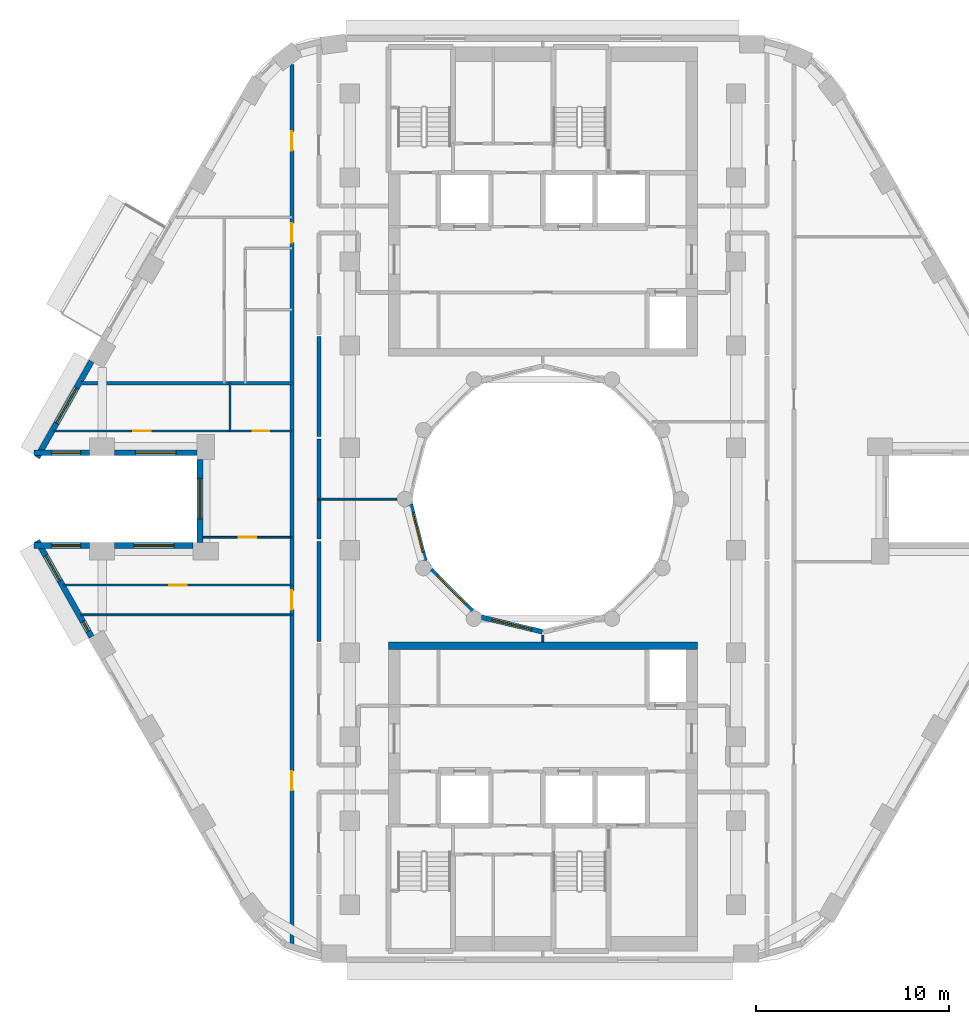
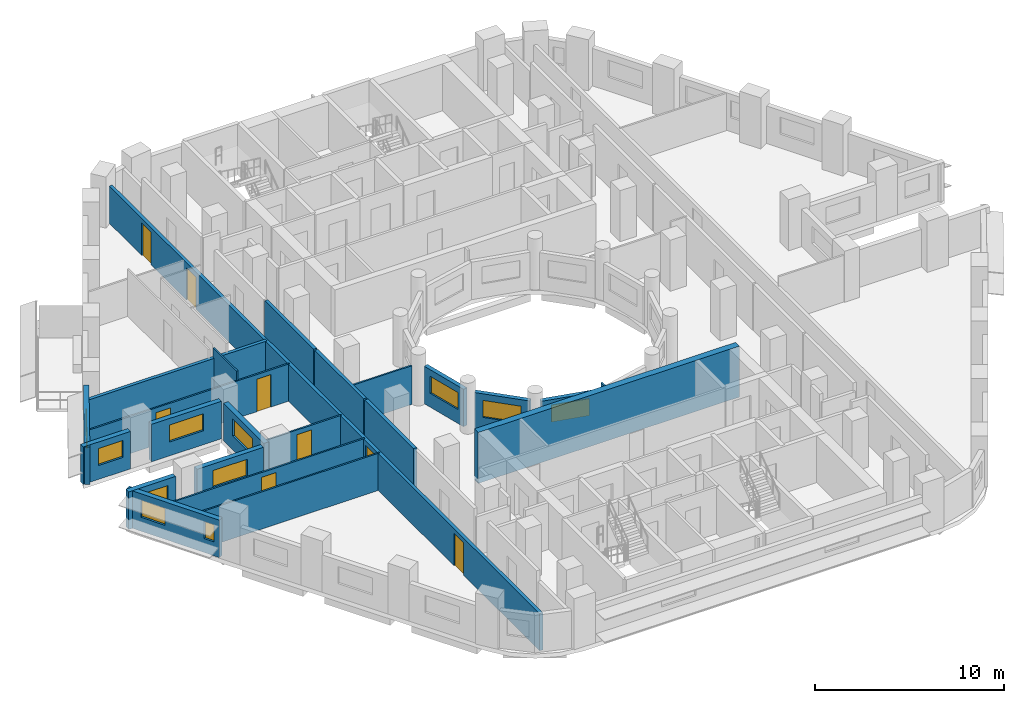
# One storey, part 4 of 13: 23 walls, 11 windows, 8 doors, 19 openings.
"""IFC4 building model written with IfcOpenShell, lengths in metres."""

import ifcopenshell
import ifcopenshell.guid

model = None  # the IFC model being written
_history = None  # IfcOwnerHistory: only IFC2X3 demands one
_inside = {}  # id of a spatial element -> (the spatial element, [elements in it])
_under = {}  # id of a project, library or spatial element -> (it, [spatial elements below it])
_declared = {}  # id of a project -> (the project, [libraries it declares])
_typed = {}  # id of a type object -> (the type object, [elements of that type])
_made_of = {}  # id of a material, layer set ... -> (it, [elements and type objects made of it])


def new_model(schema):
    """Start an empty IFC model of exactly this schema.

    Asked for "IFC4X3", IfcOpenShell would pick the latest addendum, in which some entities
    have other attributes; the version numbers below select the first issue.
    IFC2X3 requires an IfcOwnerHistory on every rooted entity: one is made here for all.
    """
    global model, _history
    if schema == "IFC4X3":
        model = ifcopenshell.file(schema_version=(4, 3, 0, 0))
    else:
        model = ifcopenshell.file(schema=schema)
    _inside.clear()
    _under.clear()
    _declared.clear()
    _typed.clear()
    _made_of.clear()
    _history = None
    if model.schema == "IFC2X3":
        org = make("IfcOrganization", Name="unknown")
        user = make(
            "IfcPersonAndOrganization",
            ThePerson=make("IfcPerson", FamilyName="unknown"),
            TheOrganization=org,
        )
        app = make(
            "IfcApplication",
            ApplicationDeveloper=org,
            Version="unknown",
            ApplicationFullName="unknown",
            ApplicationIdentifier="unknown",
        )
        _history = make(
            "IfcOwnerHistory",
            OwningUser=user,
            OwningApplication=app,
            ChangeAction="ADDED",
            CreationDate=0,
        )
    return model


def make(cls, **values):
    """One entity of the class cls with the attributes given. An attribute that is None is left unset."""
    return model.create_entity(
        cls, **{name: value for name, value in values.items() if value is not None}
    )


def rooted(cls, **values):
    """An entity with a GlobalId (a new one), such as an element, a storey or a relation."""
    return make(cls, GlobalId=ifcopenshell.guid.new(), OwnerHistory=_history, **values)


def si_unit(unit_type, name, prefix=None):
    """IfcSIUnit, for example si_unit("LENGTHUNIT", "METRE", prefix="MILLI")."""
    return make("IfcSIUnit", UnitType=unit_type, Prefix=prefix, Name=name)


def assignment(units):
    """IfcUnitAssignment: the units of a project."""
    return None if units is None else make("IfcUnitAssignment", Units=units)


def point(xyz):
    """IfcCartesianPoint."""
    return None if xyz is None else make("IfcCartesianPoint", Coordinates=xyz)


def direction(xyz):
    """IfcDirection."""
    return None if xyz is None else make("IfcDirection", DirectionRatios=xyz)


def frame(location, z_axis=None, x_axis=None):
    """IfcAxis2Placement3D, a coordinate frame: its origin and axes. An axis left out is left unset."""
    return make(
        "IfcAxis2Placement3D",
        Location=point(location),
        Axis=direction(z_axis),
        RefDirection=direction(x_axis),
    )


def frame_2d(location, x_axis=None):
    """IfcAxis2Placement2D, a coordinate frame in the plane: its origin and x axis."""
    return make(
        "IfcAxis2Placement2D", Location=point(location), RefDirection=direction(x_axis)
    )


def origin():
    """The frame at (0, 0, 0) with its axes left unset."""
    return frame((0.0, 0.0, 0.0))


def place(relative_to, where):
    """IfcLocalPlacement: puts the frame where relative to a parent placement (None: the world)."""
    return make(
        "IfcLocalPlacement", PlacementRelTo=relative_to, RelativePlacement=where
    )


def context(
    kind, dimensions, precision=None, world=None, true_north=None, identifier=None
):
    """IfcGeometricRepresentationContext, for example the 3D "Model" context."""
    return make(
        "IfcGeometricRepresentationContext",
        ContextIdentifier=identifier,
        ContextType=kind,
        CoordinateSpaceDimension=dimensions,
        Precision=precision,
        WorldCoordinateSystem=world,
        TrueNorth=true_north,
    )


def subcontext(parent, identifier, kind, view, scale=None):
    """IfcGeometricRepresentationSubContext, for example "Body" below "Model"."""
    return make(
        "IfcGeometricRepresentationSubContext",
        ContextIdentifier=identifier,
        ContextType=kind,
        ParentContext=parent,
        TargetScale=scale,
        TargetView=view,
    )


def project(units=None, contexts=None):
    """IfcProject with its units and contexts."""
    return rooted(
        "IfcProject",
        Name="project",
        RepresentationContexts=contexts,
        UnitsInContext=assignment(units),
    )


def spatial(cls, under=None, at=None, **own):
    """A site, building, storey or space (cls), placed at a placement, below another one or the project."""
    s = rooted(cls, ObjectPlacement=at, **own)
    if under is not None:
        _under.setdefault(under.id(), (under, []))[1].append(s)
    return s


def profile(cls, at=None, kind="AREA", **sizes):
    """A parametric profile (cls). Its sizes go by their IFC names, for example OverallWidth=200.0."""
    return make(cls, ProfileType=kind, Position=at, **sizes)


def rectangle(**sizes):
    """IfcRectangleProfileDef."""
    return profile("IfcRectangleProfileDef", **sizes)


def extrude(swept, where, along, depth):
    """IfcExtrudedAreaSolid: the profile swept, set in the frame where, extruded along a direction by depth."""
    return make(
        "IfcExtrudedAreaSolid",
        SweptArea=swept,
        Position=where,
        ExtrudedDirection=direction(along),
        Depth=depth,
    )


def shape(context_of_items, identifier, shape_type, items):
    """IfcShapeRepresentation: the items that make up one representation, for example the "Body"."""
    return make(
        "IfcShapeRepresentation",
        ContextOfItems=context_of_items,
        RepresentationIdentifier=identifier,
        RepresentationType=shape_type,
        Items=items,
    )


def material(Name=None, Category=None):
    """IfcMaterial."""
    return make("IfcMaterial", Name=Name, Category=Category)


def layer(
    of_material, thickness, ventilated=None, Name=None, Category=None, Priority=None
):
    """IfcMaterialLayer: one layer of a wall or slab, of a material (None: an air gap)."""
    return make(
        "IfcMaterialLayer",
        Material=of_material,
        LayerThickness=thickness,
        IsVentilated=ventilated,
        Name=Name,
        Category=Category,
        Priority=Priority,
    )


def layer_set(layers, Name=None):
    """IfcMaterialLayerSet."""
    return make("IfcMaterialLayerSet", MaterialLayers=layers, LayerSetName=Name)


def made_of(thing, what):
    """Note that an element or type object is made of a material, layer set ...; save() writes the relation."""
    if what is not None:
        _made_of.setdefault(what.id(), (what, []))[1].append(thing)
    return thing


def type_object(cls, material=None, **own):
    """A type object (cls), such as IfcWallType, which elements share."""
    return made_of(rooted(cls, **own), material)


def element(
    cls,
    number,
    at=None,
    inside=None,
    cuts=None,
    type_object=None,
    material=None,
    context=None,
    identifier="Body",
    shape_type=None,
    held_by="IfcProductDefinitionShape",
    body=None,
    shapes=None,
    **own,
):
    """One element of the class cls, such as IfcWall. Its Tag is "e" and its number.

    at: its placement. inside: the storey or other place that contains it. cuts: it is an
    opening in that element (IfcRelVoidsElement). A single representation is given by context,
    identifier, shape_type and body (its items); several are given by shapes. held_by: the class
    of the entity that holds the representations. save() writes the other relations.
    """
    e = rooted(cls, Tag="e%d" % number, ObjectPlacement=at, **own)
    if body is not None:
        shapes = [shape(context, identifier, shape_type, body)]
    if shapes is not None:
        e.Representation = make(held_by, Representations=shapes)
    if inside is not None:
        _inside.setdefault(inside.id(), (inside, []))[1].append(e)
    if cuts is not None:
        rooted(
            "IfcRelVoidsElement", RelatingBuildingElement=cuts, RelatedOpeningElement=e
        )
    if type_object is not None:
        _typed.setdefault(type_object.id(), (type_object, []))[1].append(e)
    return made_of(e, material)


def fill(opening, filler):
    """IfcRelFillsElement: the door or window that sits in an opening."""
    return rooted(
        "IfcRelFillsElement",
        RelatingOpeningElement=opening,
        RelatedBuildingElement=filler,
    )


def aggregate(whole, parts):
    """IfcRelAggregates: a whole, such as a stair, and the parts it consists of."""
    return rooted("IfcRelAggregates", RelatingObject=whole, RelatedObjects=parts)


def save(model, path):
    """Write the relations noted so far, then the file.

    IfcRelAggregates (storeys below a building ...), IfcRelContainedInSpatialStructure (elements
    in a storey), IfcRelDefinesByType, IfcRelAssociatesMaterial and IfcRelDeclares: one each for
    every whole, place, type object, material and project.
    """
    for whole, parts in _under.values():
        aggregate(whole, parts)
    for where, things in _inside.values():
        rooted(
            "IfcRelContainedInSpatialStructure",
            RelatedElements=things,
            RelatingStructure=where,
        )
    for kind, things in _typed.values():
        rooted("IfcRelDefinesByType", RelatedObjects=things, RelatingType=kind)
    for what, things in _made_of.values():
        rooted("IfcRelAssociatesMaterial", RelatedObjects=things, RelatingMaterial=what)
    for by, libraries in _declared.values():
        rooted("IfcRelDeclares", RelatingContext=by, RelatedDefinitions=libraries)
    model.write(path)


model = new_model("IFC4")

# Units and contexts
model_context = context("Model", 3, precision=1e-05, world=origin(), true_north=direction((0.0, 1.0)))
body_context = subcontext(model_context, "Body", "Model", "MODEL_VIEW")
ifc_project = project(units=[si_unit("LENGTHUNIT", "METRE"), si_unit("AREAUNIT", "SQUARE_METRE"), si_unit("VOLUMEUNIT", "CUBIC_METRE"), si_unit("PLANEANGLEUNIT", "RADIAN"), si_unit("MASSUNIT", "GRAM", prefix="KILO")], contexts=[model_context])

# Site, building, storey
site_placement = place(None, origin())
site = spatial("IfcSite", under=ifc_project, at=site_placement, CompositionType="ELEMENT")
building_placement = place(site_placement, origin())
building = spatial("IfcBuilding", under=site, at=building_placement, Name="Nakaniwa Court", CompositionType="ELEMENT")
storey_placement = place(building_placement, frame((0.0, 0.0, 137.10009765625)))
storey = spatial("IfcBuildingStorey", under=building, at=storey_placement, Name="L35", CompositionType="ELEMENT", Elevation=137.10009765625)

# Walls
ifc_material_1 = material(Name="Acoustic double stud partition")
ifc_layer_1 = layer(ifc_material_1, 0.199951171875)
ifc_layer_set_1 = layer_set([ifc_layer_1], Name="Acoustic double stud partition")
wall_type_1 = type_object("IfcWallType", Name="Acoustic double stud partition 200", PredefinedType="PARTITIONING", material=ifc_layer_set_1)
for number, where, z_axis, x_axis, name in (
    (1, (68.39990234375, 72.627197265625, 0.0), (0.0, 0.0, 1.0), (0.0, 1.0, 0.0), "Partition PW-097"),
    (2, (68.39990234375, 77.92724609375, 0.0), (0.0, 0.0, 1.0), (0.0, 1.0, 0.0), "Partition PW-098"),
    (3, (68.39990234375, 83.227294921875, 0.0), (0.0, 0.0, 1.0), (0.0, 1.0, 0.0), "Partition PW-099"),
):
    element("IfcWall", number, at=place(storey_placement, frame(where, z_axis=z_axis, x_axis=x_axis)), inside=storey, type_object=wall_type_1, Name=name, PredefinedType="PARTITIONING", context=body_context, shape_type="SweptSolid", body=[
        extrude(rectangle(XDim=5.185546875, YDim=0.199951171875, at=frame_2d((2.5927734375, 0.0))), origin(), (0.0, 0.0, 1.0), 3.02490234375),
    ])

# Wall, openings, doors
wall_1_placement = place(storey_placement, frame((67.0, 56.833251953125, 0.0), z_axis=(0.0, 0.0, 1.0), x_axis=(0.0, 1.0, 0.0)))
wall_1 = element("IfcWall", 4, at=wall_1_placement, inside=storey, type_object=wall_type_1, Name="Partition PW-103", PredefinedType="PARTITIONING", context=body_context, shape_type="SweptSolid", body=[
    extrude(rectangle(XDim=45.660888671875, YDim=0.199951171875, at=frame_2d((22.83056640625, 0.0))), origin(), (0.0, 0.0, 1.0), 2.40478515625),
])
opening_1_placement = place(wall_1_placement, frame((8.083984375, 0.0, 0.0)))
opening_1 = element("IfcOpeningElement", 5, at=opening_1_placement, cuts=wall_1, Name="Opening D-02-07", PredefinedType="OPENING", context=body_context, shape_type="SweptSolid", body=[
    extrude(rectangle(XDim=1.0, YDim=2.10009765625, at=frame_2d((0.5, 1.050048828125))), frame((0.0, 0.10986328125, 0.0), z_axis=(0.0, -1.0, 0.0), x_axis=(1.0, 0.0, 0.0)), (0.0, 0.0, 1.0), 0.219970703125),
])
opening_2_placement = place(wall_1_placement, frame((17.44189453125, 0.0, 0.0)))
opening_2 = element("IfcOpeningElement", 6, at=opening_2_placement, cuts=wall_1, Name="Opening D-01-01", PredefinedType="OPENING", context=body_context, shape_type="SweptSolid", body=[
    extrude(rectangle(XDim=1.0, YDim=2.10009765625, at=frame_2d((0.5, 1.050048828125))), frame((0.0, 0.10986328125, 0.0), z_axis=(0.0, -1.0, 0.0), x_axis=(1.0, 0.0, 0.0)), (0.0, 0.0, 1.0), 0.219970703125),
])
opening_3_placement = place(wall_1_placement, frame((36.449951171875, 0.0, 0.0)))
opening_3 = element("IfcOpeningElement", 7, at=opening_3_placement, cuts=wall_1, Name="Opening D-01-02", PredefinedType="OPENING", context=body_context, shape_type="SweptSolid", body=[
    extrude(rectangle(XDim=1.0, YDim=2.10009765625, at=frame_2d((0.5, 1.050048828125))), frame((0.0, 0.10986328125, 0.0), z_axis=(0.0, -1.0, 0.0), x_axis=(1.0, 0.0, 0.0)), (0.0, 0.0, 1.0), 0.219970703125),
])
opening_4_placement = place(wall_1_placement, frame((41.202880859375, 0.0, 0.0)))
opening_4 = element("IfcOpeningElement", 8, at=opening_4_placement, cuts=wall_1, Name="Opening D-02-13", PredefinedType="OPENING", context=body_context, shape_type="SweptSolid", body=[
    extrude(rectangle(XDim=1.0, YDim=2.10009765625, at=frame_2d((0.5, 1.050048828125))), frame((0.0, 0.10986328125, 0.0), z_axis=(0.0, -1.0, 0.0), x_axis=(1.0, 0.0, 0.0)), (0.0, 0.0, 1.0), 0.219970703125),
])
ifc_material_2 = material(Name="Solid core timber door set, black veneer", Category="wood")
door_type_1 = type_object("IfcDoorType", Name="Flat entrance door 1000", OperationType="NOTDEFINED", PredefinedType="DOOR", material=ifc_material_2)
door_1_placement = place(opening_2_placement, origin())
door_1 = element("IfcDoor", 9, at=door_1_placement, inside=storey, type_object=door_type_1, Name="Door D-01-01 L35-029", OperationType="SINGLE_SWING_RIGHT", OverallHeight=2.10009765625, OverallWidth=1.0, PredefinedType="DOOR", context=body_context, shape_type="SweptSolid", body=[
    extrude(rectangle(XDim=1.0, YDim=2.10009765625, at=frame_2d((0.5, 1.050048828125))), frame((0.0, 0.02490234375, 0.0), z_axis=(0.0, -1.0, 0.0), x_axis=(1.0, 0.0, 0.0)), (0.0, 0.0, 1.0), 0.050048828125),
])
fill(opening_2, door_1)
door_2_placement = place(opening_3_placement, origin())
door_2 = element("IfcDoor", 10, at=door_2_placement, inside=storey, type_object=door_type_1, Name="Door D-01-02 L35-035", OperationType="SINGLE_SWING_RIGHT", OverallHeight=2.10009765625, OverallWidth=1.0, PredefinedType="DOOR", context=body_context, shape_type="SweptSolid", body=[
    extrude(rectangle(XDim=1.0, YDim=2.10009765625, at=frame_2d((0.5, 1.050048828125))), frame((0.0, 0.02490234375, 0.0), z_axis=(0.0, -1.0, 0.0), x_axis=(1.0, 0.0, 0.0)), (0.0, 0.0, 1.0), 0.050048828125),
])
fill(opening_3, door_2)
door_type_2 = type_object("IfcDoorType", Name="Internal door 1000", OperationType="NOTDEFINED", PredefinedType="DOOR", material=ifc_material_2)
door_3_placement = place(opening_1_placement, origin())
door_3 = element("IfcDoor", 11, at=door_3_placement, inside=storey, type_object=door_type_2, Name="Door D-02-07 L35-027", OperationType="SINGLE_SWING_RIGHT", OverallHeight=2.10009765625, OverallWidth=1.0, PredefinedType="DOOR", context=body_context, shape_type="SweptSolid", body=[
    extrude(rectangle(XDim=1.0, YDim=2.10009765625, at=frame_2d((0.5, 1.050048828125))), frame((0.0, 0.02490234375, 0.0), z_axis=(0.0, -1.0, 0.0), x_axis=(1.0, 0.0, 0.0)), (0.0, 0.0, 1.0), 0.050048828125),
])
fill(opening_1, door_3)
door_4_placement = place(opening_4_placement, origin())
door_4 = element("IfcDoor", 12, at=door_4_placement, inside=storey, type_object=door_type_2, Name="Door D-02-13 L35-042", OperationType="SINGLE_SWING_LEFT", OverallHeight=2.10009765625, OverallWidth=1.0, PredefinedType="DOOR", context=body_context, shape_type="SweptSolid", body=[
    extrude(rectangle(XDim=1.0, YDim=2.10009765625, at=frame_2d((0.5, 1.050048828125))), frame((0.0, 0.02490234375, 0.0), z_axis=(0.0, -1.0, 0.0), x_axis=(1.0, 0.0, 0.0)), (0.0, 0.0, 1.0), 0.050048828125),
])
fill(opening_4, door_4)

# Wall
wall_2_placement = place(storey_placement, frame((56.097900390625, 86.0, 0.0), z_axis=(0.0, 0.0, 1.0), x_axis=(1.0, 0.0, 0.0)))
element("IfcWall", 13, at=wall_2_placement, inside=storey, type_object=wall_type_1, Name="Partition PW-122", PredefinedType="PARTITIONING", context=body_context, shape_type="SweptSolid", body=[
    extrude(rectangle(XDim=10.901123046875, YDim=0.199951171875, at=frame_2d((5.45068359375, 0.0))), origin(), (0.0, 0.0, 1.0), 2.40478515625),
])

# Wall, opening, window
ifc_material_3 = material(Name="Charcoal ceramic cladding")
ifc_layer_2 = layer(ifc_material_3, 0.02, Name="Ceramic cladding")
ifc_material_4 = material(Name="Ventilated air cavity")
ifc_layer_3 = layer(ifc_material_4, 0.04, ventilated=True, Name="Ventilated cavity")
ifc_material_5 = material(Name="Mineral wool insulation")
ifc_layer_4 = layer(ifc_material_5, 0.1, Name="Insulation")
ifc_material_6 = material(Name="Cement bonded sheathing board")
ifc_layer_5 = layer(ifc_material_6, 0.012, Name="Sheathing")
ifc_material_7 = material(Name="Cold-formed galvanised stud frame with mineral wool infill")
ifc_layer_6 = layer(ifc_material_7, 0.1, Name="Stud frame")
ifc_material_8 = material(Name="Fire-rated gypsum plasterboard lining")
ifc_layer_7 = layer(ifc_material_8, 0.028, Name="Lining")
ifc_layer_set_2 = layer_set([ifc_layer_2, ifc_layer_3, ifc_layer_4, ifc_layer_5, ifc_layer_6, ifc_layer_7], Name="Charcoal ceramic faced external wall system")
wall_type_2 = type_object("IfcWallType", Name="Black ceramic faced external wall 300", PredefinedType="SOLIDWALL", material=ifc_layer_set_2)
wall_3_placement = place(storey_placement, frame((56.63427734375, 87.13720703125, 0.0), z_axis=(0.0, 0.0, 1.0), x_axis=(-0.492498306264, -0.87031340236, 0.0)))
wall_3 = element("IfcWall", 14, at=wall_3_placement, inside=storey, type_object=wall_type_2, Name="L35 external wall 14", PredefinedType="SOLIDWALL", context=body_context, shape_type="SweptSolid", body=[
    extrude(rectangle(XDim=5.7265625, YDim=0.300048828125, at=frame_2d((2.86328125, 0.0))), origin(), (0.0, 0.0, 1.0), 2.4248046875),
])
opening_5_placement = place(wall_3_placement, frame((1.582275390625, 0.0, 0.89990234375)))
opening_5 = element("IfcOpeningElement", 15, at=opening_5_placement, cuts=wall_3, Name="Opening W7.15", PredefinedType="OPENING", context=body_context, shape_type="SweptSolid", body=[
    extrude(rectangle(XDim=2.10009765625, YDim=1.10009765625, at=frame_2d((1.050048828125, 0.550048828125))), frame((0.0, 0.159912109375, 0.0), z_axis=(0.0, -1.0, 0.0), x_axis=(1.0, 0.0, 0.0)), (0.0, 0.0, 1.0), 0.320068359375),
])
ifc_material_9 = material(Name="Black anodised aluminium frame with dark low-E laminated double glazing", Category="aluminium")
window_type_1 = type_object("IfcWindowType", Name="Dark glass window 2100x1100 sill 900", PartitioningType="SINGLE_PANEL", PredefinedType="WINDOW", material=ifc_material_9)
window_1_placement = place(opening_5_placement, origin())
window_1 = element("IfcWindow", 16, at=window_1_placement, inside=storey, type_object=window_type_1, Name="L35 habitable room window 14-1", OverallHeight=1.10009765625, OverallWidth=2.10009765625, PartitioningType="SINGLE_PANEL", PredefinedType="WINDOW", context=body_context, shape_type="SweptSolid", body=[
    extrude(rectangle(XDim=2.10009765625, YDim=1.10009765625, at=frame_2d((1.050048828125, 0.550048828125))), frame((0.0, 0.030029296875, 0.0), z_axis=(0.0, -1.0, 0.0), x_axis=(1.0, 0.0, 0.0)), (0.0, 0.0, 1.0), 0.06005859375),
])
fill(opening_5, window_1)

wall_4_placement = place(storey_placement, frame((53.643310546875, 82.39990234375, 0.0), z_axis=(0.0, 0.0, 1.0), x_axis=(1.0, 0.0, 0.0)))
wall_4 = element("IfcWall", 17, at=wall_4_placement, inside=storey, type_object=wall_type_2, Name="L35 external wall 15", PredefinedType="SOLIDWALL", context=body_context, shape_type="SweptSolid", body=[
    extrude(rectangle(XDim=2.8876953125, YDim=0.300048828125, at=frame_2d((1.44384765625, 0.0))), origin(), (0.0, 0.0, 1.0), 2.4248046875),
])
opening_6_placement = place(wall_4_placement, frame((0.9189453125, 0.0, 0.89990234375)))
opening_6 = element("IfcOpeningElement", 18, at=opening_6_placement, cuts=wall_4, Name="Opening W5.16", PredefinedType="OPENING", context=body_context, shape_type="SweptSolid", body=[
    extrude(rectangle(XDim=1.5, YDim=1.10009765625, at=frame_2d((0.75, 0.550048828125))), frame((0.0, 0.159912109375, 0.0), z_axis=(0.0, -1.0, 0.0), x_axis=(1.0, 0.0, 0.0)), (0.0, 0.0, 1.0), 0.320068359375),
])
window_type_2 = type_object("IfcWindowType", Name="Dark glass window 1500x1100 sill 900", PartitioningType="SINGLE_PANEL", PredefinedType="WINDOW", material=ifc_material_9)
window_2_placement = place(opening_6_placement, origin())
window_2 = element("IfcWindow", 19, at=window_2_placement, inside=storey, type_object=window_type_2, Name="L35 living window 15-0", OverallHeight=1.10009765625, OverallWidth=1.5, PartitioningType="SINGLE_PANEL", PredefinedType="WINDOW", context=body_context, shape_type="SweptSolid", body=[
    extrude(rectangle(XDim=1.5, YDim=1.10009765625, at=frame_2d((0.75, 0.550048828125))), frame((0.0, 0.030029296875, 0.0), z_axis=(0.0, -1.0, 0.0), x_axis=(1.0, 0.0, 0.0)), (0.0, 0.0, 1.0), 0.06005859375),
])
fill(opening_6, window_2)

wall_5_placement = place(storey_placement, frame((57.822998046875, 82.39990234375, 0.0), z_axis=(0.0, 0.0, 1.0), x_axis=(1.0, 0.0, 0.0)))
wall_5 = element("IfcWall", 20, at=wall_5_placement, inside=storey, type_object=wall_type_2, Name="L35 external wall 16", PredefinedType="SOLIDWALL", context=body_context, shape_type="SweptSolid", body=[
    extrude(rectangle(XDim=4.272705078125, YDim=0.300048828125, at=frame_2d((2.13623046875, 0.0))), origin(), (0.0, 0.0, 1.0), 2.4248046875),
])
opening_7_placement = place(wall_5_placement, frame((1.086181640625, 0.0, 0.89990234375)))
opening_7 = element("IfcOpeningElement", 21, at=opening_7_placement, cuts=wall_5, Name="Opening W7.17", PredefinedType="OPENING", context=body_context, shape_type="SweptSolid", body=[
    extrude(rectangle(XDim=2.10009765625, YDim=1.10009765625, at=frame_2d((1.050048828125, 0.550048828125))), frame((0.0, 0.159912109375, 0.0), z_axis=(0.0, -1.0, 0.0), x_axis=(1.0, 0.0, 0.0)), (0.0, 0.0, 1.0), 0.320068359375),
])
window_3_placement = place(opening_7_placement, origin())
window_3 = element("IfcWindow", 22, at=window_3_placement, inside=storey, type_object=window_type_1, Name="L35 living window 16-0", OverallHeight=1.10009765625, OverallWidth=2.10009765625, PartitioningType="SINGLE_PANEL", PredefinedType="WINDOW", context=body_context, shape_type="SweptSolid", body=[
    extrude(rectangle(XDim=2.10009765625, YDim=1.10009765625, at=frame_2d((1.050048828125, 0.550048828125))), frame((0.0, 0.030029296875, 0.0), z_axis=(0.0, -1.0, 0.0), x_axis=(1.0, 0.0, 0.0)), (0.0, 0.0, 1.0), 0.06005859375),
])
fill(opening_7, window_3)

wall_6_placement = place(storey_placement, frame((62.24169921875, 82.053955078125, 0.0), z_axis=(0.0, 0.0, 1.0), x_axis=(0.0, -1.0, 0.0)))
wall_6 = element("IfcWall", 23, at=wall_6_placement, inside=storey, type_object=wall_type_2, Name="L35 external wall 17", PredefinedType="SOLIDWALL", context=body_context, shape_type="SweptSolid", body=[
    extrude(rectangle(XDim=4.307861328125, YDim=0.300048828125, at=frame_2d((2.15380859375, 0.0))), origin(), (0.0, 0.0, 1.0), 2.4248046875),
])
opening_8_placement = place(wall_6_placement, frame((0.9765625, 0.0, 0.89990234375)))
opening_8 = element("IfcOpeningElement", 24, at=opening_8_placement, cuts=wall_6, Name="Opening W7.18", PredefinedType="OPENING", context=body_context, shape_type="SweptSolid", body=[
    extrude(rectangle(XDim=2.10009765625, YDim=1.10009765625, at=frame_2d((1.050048828125, 0.550048828125))), frame((0.0, 0.159912109375, 0.0), z_axis=(0.0, -1.0, 0.0), x_axis=(1.0, 0.0, 0.0)), (0.0, 0.0, 1.0), 0.320068359375),
])
window_4_placement = place(opening_8_placement, origin())
window_4 = element("IfcWindow", 25, at=window_4_placement, inside=storey, type_object=window_type_1, Name="L35 living window 17-0", OverallHeight=1.10009765625, OverallWidth=2.10009765625, PartitioningType="SINGLE_PANEL", PredefinedType="WINDOW", context=body_context, shape_type="SweptSolid", body=[
    extrude(rectangle(XDim=2.10009765625, YDim=1.10009765625, at=frame_2d((1.050048828125, 0.550048828125))), frame((0.0, 0.030029296875, 0.0), z_axis=(0.0, -1.0, 0.0), x_axis=(1.0, 0.0, 0.0)), (0.0, 0.0, 1.0), 0.06005859375),
])
fill(opening_8, window_4)

wall_7_placement = place(storey_placement, frame((61.8955078125, 77.60009765625, 0.0), z_axis=(0.0, 0.0, 1.0), x_axis=(-1.0, 0.0, 0.0)))
wall_7 = element("IfcWall", 26, at=wall_7_placement, inside=storey, type_object=wall_type_2, Name="L35 external wall 18", PredefinedType="SOLIDWALL", context=body_context, shape_type="SweptSolid", body=[
    extrude(rectangle(XDim=4.072509765625, YDim=0.300048828125, at=frame_2d((2.0361328125, 0.0))), origin(), (0.0, 0.0, 1.0), 2.4248046875),
])
opening_9_placement = place(wall_7_placement, frame((0.986083984375, 0.0, 0.89990234375)))
opening_9 = element("IfcOpeningElement", 27, at=opening_9_placement, cuts=wall_7, Name="Opening W7.19", PredefinedType="OPENING", context=body_context, shape_type="SweptSolid", body=[
    extrude(rectangle(XDim=2.10009765625, YDim=1.10009765625, at=frame_2d((1.050048828125, 0.550048828125))), frame((0.0, 0.159912109375, 0.0), z_axis=(0.0, -1.0, 0.0), x_axis=(1.0, 0.0, 0.0)), (0.0, 0.0, 1.0), 0.320068359375),
])
window_5_placement = place(opening_9_placement, origin())
window_5 = element("IfcWindow", 28, at=window_5_placement, inside=storey, type_object=window_type_1, Name="L35 habitable room window 18-0", OverallHeight=1.10009765625, OverallWidth=2.10009765625, PartitioningType="SINGLE_PANEL", PredefinedType="WINDOW", context=body_context, shape_type="SweptSolid", body=[
    extrude(rectangle(XDim=2.10009765625, YDim=1.10009765625, at=frame_2d((1.050048828125, 0.550048828125))), frame((0.0, 0.030029296875, 0.0), z_axis=(0.0, -1.0, 0.0), x_axis=(1.0, 0.0, 0.0)), (0.0, 0.0, 1.0), 0.06005859375),
])
fill(opening_9, window_5)

wall_8_placement = place(storey_placement, frame((56.531005859375, 77.60009765625, 0.0), z_axis=(0.0, 0.0, 1.0), x_axis=(-1.0, 0.0, 0.0)))
wall_8 = element("IfcWall", 29, at=wall_8_placement, inside=storey, type_object=wall_type_2, Name="L35 external wall 19", PredefinedType="SOLIDWALL", context=body_context, shape_type="SweptSolid", body=[
    extrude(rectangle(XDim=2.8876953125, YDim=0.300048828125, at=frame_2d((1.44384765625, 0.0))), origin(), (0.0, 0.0, 1.0), 2.4248046875),
])
opening_10_placement = place(wall_8_placement, frame((0.468994140625, 0.0, 0.89990234375)))
opening_10 = element("IfcOpeningElement", 30, at=opening_10_placement, cuts=wall_8, Name="Opening W5.20", PredefinedType="OPENING", context=body_context, shape_type="SweptSolid", body=[
    extrude(rectangle(XDim=1.5, YDim=1.10009765625, at=frame_2d((0.75, 0.550048828125))), frame((0.0, 0.159912109375, 0.0), z_axis=(0.0, -1.0, 0.0), x_axis=(1.0, 0.0, 0.0)), (0.0, 0.0, 1.0), 0.320068359375),
])
window_6_placement = place(opening_10_placement, origin())
window_6 = element("IfcWindow", 31, at=window_6_placement, inside=storey, type_object=window_type_2, Name="L35 habitable room window 19-0", OverallHeight=1.10009765625, OverallWidth=1.5, PartitioningType="SINGLE_PANEL", PredefinedType="WINDOW", context=body_context, shape_type="SweptSolid", body=[
    extrude(rectangle(XDim=1.5, YDim=1.10009765625, at=frame_2d((0.75, 0.550048828125))), frame((0.0, 0.030029296875, 0.0), z_axis=(0.0, -1.0, 0.0), x_axis=(1.0, 0.0, 0.0)), (0.0, 0.0, 1.0), 0.06005859375),
])
fill(opening_10, window_6)

# Wall, openings, windows
wall_9_placement = place(storey_placement, frame((53.81396484375, 77.8466796875, 0.0), z_axis=(0.0, 0.0, 1.0), x_axis=(0.492498306264, -0.87031340236, 0.0)))
wall_9 = element("IfcWall", 32, at=wall_9_placement, inside=storey, type_object=wall_type_2, Name="L35 external wall 20", PredefinedType="SOLIDWALL", context=body_context, shape_type="SweptSolid", body=[
    extrude(rectangle(XDim=5.7265625, YDim=0.300048828125, at=frame_2d((2.86328125, 0.0))), origin(), (0.0, 0.0, 1.0), 2.4248046875),
])
opening_11_placement = place(wall_9_placement, frame((0.8935546875, 0.0, 0.89990234375)))
opening_11 = element("IfcOpeningElement", 33, at=opening_11_placement, cuts=wall_9, Name="Opening W5.21", PredefinedType="OPENING", context=body_context, shape_type="SweptSolid", body=[
    extrude(rectangle(XDim=1.5, YDim=1.10009765625, at=frame_2d((0.75, 0.550048828125))), frame((0.0, 0.159912109375, 0.0), z_axis=(0.0, -1.0, 0.0), x_axis=(1.0, 0.0, 0.0)), (0.0, 0.0, 1.0), 0.320068359375),
])
opening_12_placement = place(wall_9_placement, frame((4.796142578125, 0.0, 0.89990234375)))
opening_12 = element("IfcOpeningElement", 34, at=opening_12_placement, cuts=wall_9, Name="Opening W8.22", PredefinedType="OPENING", context=body_context, shape_type="SweptSolid", body=[
    extrude(rectangle(XDim=0.60009765625, YDim=1.10009765625, at=frame_2d((0.300048828125, 0.550048828125))), frame((0.0, 0.159912109375, 0.0), z_axis=(0.0, -1.0, 0.0), x_axis=(1.0, 0.0, 0.0)), (0.0, 0.0, 1.0), 0.320068359375),
])
window_7_placement = place(opening_11_placement, origin())
window_7 = element("IfcWindow", 35, at=window_7_placement, inside=storey, type_object=window_type_2, Name="L35 habitable room window 20-0", OverallHeight=1.10009765625, OverallWidth=1.5, PartitioningType="SINGLE_PANEL", PredefinedType="WINDOW", context=body_context, shape_type="SweptSolid", body=[
    extrude(rectangle(XDim=1.5, YDim=1.10009765625, at=frame_2d((0.75, 0.550048828125))), frame((0.0, 0.030029296875, 0.0), z_axis=(0.0, -1.0, 0.0), x_axis=(1.0, 0.0, 0.0)), (0.0, 0.0, 1.0), 0.06005859375),
])
fill(opening_11, window_7)
window_type_3 = type_object("IfcWindowType", Name="Dark glass window 600x1100 sill 900", PartitioningType="SINGLE_PANEL", PredefinedType="WINDOW", material=ifc_material_9)
window_8_placement = place(opening_12_placement, origin())
window_8 = element("IfcWindow", 36, at=window_8_placement, inside=storey, type_object=window_type_3, Name="L35 habitable room window 20-2", OverallHeight=1.10009765625, OverallWidth=0.60009765625, PartitioningType="SINGLE_PANEL", PredefinedType="WINDOW", context=body_context, shape_type="SweptSolid", body=[
    extrude(rectangle(XDim=0.60009765625, YDim=1.10009765625, at=frame_2d((0.300048828125, 0.550048828125))), frame((0.0, 0.030029296875, 0.0), z_axis=(0.0, -1.0, 0.0), x_axis=(1.0, 0.0, 0.0)), (0.0, 0.0, 1.0), 0.06005859375),
])
fill(opening_12, window_8)

# Wall, opening, window
ifc_layer_8 = layer(ifc_material_3, 0.02, Name="Ceramic cladding")
ifc_layer_9 = layer(ifc_material_4, 0.04, ventilated=True, Name="Ventilated cavity")
ifc_layer_10 = layer(ifc_material_5, 0.075, Name="Insulation")
ifc_layer_11 = layer(ifc_material_6, 0.012, Name="Sheathing")
ifc_layer_12 = layer(ifc_material_7, 0.075, Name="Stud frame")
ifc_layer_13 = layer(ifc_material_8, 0.028, Name="Lining")
ifc_layer_set_3 = layer_set([ifc_layer_8, ifc_layer_9, ifc_layer_10, ifc_layer_11, ifc_layer_12, ifc_layer_13], Name="Charcoal ceramic faced external wall system")
wall_type_3 = type_object("IfcWallType", Name="Charcoal ceramic faced well wall 250", PredefinedType="SOLIDWALL", material=ifc_layer_set_3)
wall_10_placement = place(storey_placement, frame((79.970947265625, 73.12841796875, 0.0), z_axis=(0.0, 0.0, 1.0), x_axis=(-0.972773113459, 0.231759508395, 0.0)))
wall_10 = element("IfcWall", 37, at=wall_10_placement, inside=storey, type_object=wall_type_3, Name="L35 external wall 39", PredefinedType="SOLIDWALL", context=body_context, shape_type="SweptSolid", body=[
    extrude(rectangle(XDim=3.24560546875, YDim=0.25, at=frame_2d((1.622802734375, 0.0))), origin(), (0.0, 0.0, 1.0), 2.4248046875),
])
opening_13_placement = place(wall_10_placement, frame((0.57275390625, 0.0, 0.89990234375)))
opening_13 = element("IfcOpeningElement", 38, at=opening_13_placement, cuts=wall_10, Name="Opening W7.38", PredefinedType="OPENING", context=body_context, shape_type="SweptSolid", body=[
    extrude(rectangle(XDim=2.10009765625, YDim=1.10009765625, at=frame_2d((1.050048828125, 0.550048828125))), frame((0.0, 0.135009765625, 0.0), z_axis=(0.0, -1.0, 0.0), x_axis=(1.0, 0.0, 0.0)), (0.0, 0.0, 1.0), 0.27001953125),
])
window_9_placement = place(opening_13_placement, origin())
window_9 = element("IfcWindow", 39, at=window_9_placement, inside=storey, type_object=window_type_1, Name="L35 habitable room window 39-0", OverallHeight=1.10009765625, OverallWidth=2.10009765625, PartitioningType="SINGLE_PANEL", PredefinedType="WINDOW", context=body_context, shape_type="SweptSolid", body=[
    extrude(rectangle(XDim=2.10009765625, YDim=1.10009765625, at=frame_2d((1.050048828125, 0.550048828125))), frame((0.0, 0.030029296875, 0.0), z_axis=(0.0, -1.0, 0.0), x_axis=(1.0, 0.0, 0.0)), (0.0, 0.0, 1.0), 0.06005859375),
])
fill(opening_13, window_9)

wall_11_placement = place(storey_placement, frame((76.339111328125, 74.1943359375, 0.0), z_axis=(0.0, 0.0, 1.0), x_axis=(-0.707106781187, 0.707106781187, 0.0)))
wall_11 = element("IfcWall", 40, at=wall_11_placement, inside=storey, type_object=wall_type_3, Name="L35 external wall 40", PredefinedType="SOLIDWALL", context=body_context, shape_type="SweptSolid", body=[
    extrude(rectangle(XDim=3.033203125, YDim=0.25, at=frame_2d((1.5166015625, 0.0))), origin(), (0.0, 0.0, 1.0), 2.4248046875),
])
opening_14_placement = place(wall_11_placement, frame((0.466552734375, 0.0, 0.89990234375)))
opening_14 = element("IfcOpeningElement", 41, at=opening_14_placement, cuts=wall_11, Name="Opening W7.39", PredefinedType="OPENING", context=body_context, shape_type="SweptSolid", body=[
    extrude(rectangle(XDim=2.10009765625, YDim=1.10009765625, at=frame_2d((1.050048828125, 0.550048828125))), frame((0.0, 0.135009765625, 0.0), z_axis=(0.0, -1.0, 0.0), x_axis=(1.0, 0.0, 0.0)), (0.0, 0.0, 1.0), 0.27001953125),
])
window_10_placement = place(opening_14_placement, origin())
window_10 = element("IfcWindow", 42, at=window_10_placement, inside=storey, type_object=window_type_1, Name="L35 habitable room window 40-0", OverallHeight=1.10009765625, OverallWidth=2.10009765625, PartitioningType="SINGLE_PANEL", PredefinedType="WINDOW", context=body_context, shape_type="SweptSolid", body=[
    extrude(rectangle(XDim=2.10009765625, YDim=1.10009765625, at=frame_2d((1.050048828125, 0.550048828125))), frame((0.0, 0.030029296875, 0.0), z_axis=(0.0, -1.0, 0.0), x_axis=(1.0, 0.0, 0.0)), (0.0, 0.0, 1.0), 0.06005859375),
])
fill(opening_14, window_10)

wall_12_placement = place(storey_placement, frame((73.88330078125, 76.813232421875, 0.0), z_axis=(0.0, 0.0, 1.0), x_axis=(-0.247055971283, 0.969001211069, 0.0)))
wall_12 = element("IfcWall", 43, at=wall_12_placement, inside=storey, type_object=wall_type_3, Name="L35 external wall 41", PredefinedType="SOLIDWALL", context=body_context, shape_type="SweptSolid", body=[
    extrude(rectangle(XDim=3.010009765625, YDim=0.25, at=frame_2d((1.5048828125, 0.0))), origin(), (0.0, 0.0, 1.0), 2.4248046875),
])
opening_15_placement = place(wall_12_placement, frame((0.441162109375, 0.0, 0.89990234375)))
opening_15 = element("IfcOpeningElement", 44, at=opening_15_placement, cuts=wall_12, Name="Opening W7.40", PredefinedType="OPENING", context=body_context, shape_type="SweptSolid", body=[
    extrude(rectangle(XDim=2.10009765625, YDim=1.10009765625, at=frame_2d((1.050048828125, 0.550048828125))), frame((0.0, 0.135009765625, 0.0), z_axis=(0.0, -1.0, 0.0), x_axis=(1.0, 0.0, 0.0)), (0.0, 0.0, 1.0), 0.27001953125),
])
window_11_placement = place(opening_15_placement, origin())
window_11 = element("IfcWindow", 45, at=window_11_placement, inside=storey, type_object=window_type_1, Name="L35 habitable room window 41-0", OverallHeight=1.10009765625, OverallWidth=2.10009765625, PartitioningType="SINGLE_PANEL", PredefinedType="WINDOW", context=body_context, shape_type="SweptSolid", body=[
    extrude(rectangle(XDim=2.10009765625, YDim=1.10009765625, at=frame_2d((1.050048828125, 0.550048828125))), frame((0.0, 0.030029296875, 0.0), z_axis=(0.0, -1.0, 0.0), x_axis=(1.0, 0.0, 0.0)), (0.0, 0.0, 1.0), 0.06005859375),
])
fill(opening_15, window_11)

# Walls
ifc_material_10 = material(Name="Concrete C80/100", Category="concrete")
ifc_layer_14 = layer(ifc_material_10, 0.39990234375)
ifc_layer_set_4 = layer_set([ifc_layer_14], Name="Concrete C80/100")
wall_type_4 = type_object("IfcWallType", Name="Concrete core well wall 400 C80", PredefinedType="SHEAR", material=ifc_layer_set_4)
wall_13_placement = place(storey_placement, frame((72.00390625, 72.39990234375, -0.275146484375), z_axis=(0.0, 0.0, 1.0), x_axis=(1.0, 0.0, 0.0)))
element("IfcWall", 46, at=wall_13_placement, inside=storey, type_object=wall_type_4, Name="Core wall SW-129", PredefinedType="SHEAR", context=body_context, shape_type="SweptSolid", body=[
    extrude(rectangle(XDim=15.9921875, YDim=0.39990234375, at=frame_2d((7.99609375, 0.0))), origin(), (0.0, 0.0, 1.0), 3.300048828125),
])
ifc_material_11 = material(Name="Single stud plasterboard partition")
ifc_layer_15 = layer(ifc_material_11, 0.10009765625)
ifc_layer_set_5 = layer_set([ifc_layer_15], Name="Single stud plasterboard partition")
wall_type_5 = type_object("IfcWallType", Name="Single stud plasterboard partition 100", PredefinedType="PARTITIONING", material=ifc_layer_set_5)
wall_14_placement = place(storey_placement, frame((80.0, 72.60009765625, 0.0), z_axis=(0.0, 0.0, 1.0), x_axis=(0.0, 1.0, 0.0)))
element("IfcWall", 47, at=wall_14_placement, inside=storey, type_object=wall_type_5, Name="Partition PW-109", PredefinedType="PARTITIONING", context=body_context, shape_type="SweptSolid", body=[
    extrude(rectangle(XDim=0.351806640625, YDim=0.10009765625, at=frame_2d((0.17578125, 0.0))), origin(), (0.0, 0.0, 1.0), 3.02490234375),
])
wall_15_placement = place(storey_placement, frame((56.097900390625, 74.0, 0.0), z_axis=(0.0, 0.0, 1.0), x_axis=(1.0, 0.0, 0.0)))
element("IfcWall", 48, at=wall_15_placement, inside=storey, type_object=wall_type_5, Name="Partition PW-116", PredefinedType="PARTITIONING", context=body_context, shape_type="SweptSolid", body=[
    extrude(rectangle(XDim=10.901123046875, YDim=0.10009765625, at=frame_2d((5.45068359375, 0.0))), origin(), (0.0, 0.0, 1.0), 2.40478515625),
])
wall_16_placement = place(storey_placement, frame((68.40087890625, 80.0, 0.0), z_axis=(0.0, 0.0, 1.0), x_axis=(1.0, 0.0, 0.0)))
element("IfcWall", 49, at=wall_16_placement, inside=storey, type_object=wall_type_5, Name="Partition PW-117", PredefinedType="PARTITIONING", context=body_context, shape_type="SweptSolid", body=[
    extrude(rectangle(XDim=4.029052734375, YDim=0.10009765625, at=frame_2d((2.0146484375, 0.0))), origin(), (0.0, 0.0, 1.0), 2.5048828125),
])

# Wall, opening, door
wall_17_placement = place(storey_placement, frame((55.202880859375, 75.550048828125, 0.0), z_axis=(0.0, 0.0, 1.0), x_axis=(1.0, 0.0, 0.0)))
wall_17 = element("IfcWall", 50, at=wall_17_placement, inside=storey, type_object=wall_type_5, Name="Partition PW-118", PredefinedType="PARTITIONING", context=body_context, shape_type="SweptSolid", body=[
    extrude(rectangle(XDim=11.796142578125, YDim=0.10009765625, at=frame_2d((5.89794921875, 0.0))), origin(), (0.0, 0.0, 1.0), 2.40478515625),
])
opening_16_placement = place(wall_17_placement, frame((5.447998046875, 0.0, 0.0)))
opening_16 = element("IfcOpeningElement", 51, at=opening_16_placement, cuts=wall_17, Name="Opening D-33-01", PredefinedType="OPENING", context=body_context, shape_type="SweptSolid", body=[
    extrude(rectangle(XDim=0.89990234375, YDim=2.10009765625, at=frame_2d((0.449951171875, 1.050048828125))), frame((0.0, 0.06005859375, 0.0), z_axis=(0.0, -1.0, 0.0), x_axis=(1.0, 0.0, 0.0)), (0.0, 0.0, 1.0), 0.1201171875),
])
door_type_3 = type_object("IfcDoorType", Name="Internal door 900", OperationType="NOTDEFINED", PredefinedType="DOOR", material=ifc_material_2)
door_5_placement = place(opening_16_placement, origin())
door_5 = element("IfcDoor", 52, at=door_5_placement, inside=storey, type_object=door_type_3, Name="Door D-33-01 L35-030", OperationType="SINGLE_SWING_LEFT", OverallHeight=2.10009765625, OverallWidth=0.89990234375, PredefinedType="DOOR", context=body_context, shape_type="SweptSolid", body=[
    extrude(rectangle(XDim=0.89990234375, YDim=2.10009765625, at=frame_2d((0.449951171875, 1.050048828125))), frame((0.0, 0.02490234375, 0.0), z_axis=(0.0, -1.0, 0.0), x_axis=(1.0, 0.0, 0.0)), (0.0, 0.0, 1.0), 0.050048828125),
])
fill(opening_16, door_5)

wall_18_placement = place(storey_placement, frame((62.3916015625, 78.02490234375, 0.0), z_axis=(0.0, 0.0, 1.0), x_axis=(1.0, 0.0, 0.0)))
wall_18 = element("IfcWall", 53, at=wall_18_placement, inside=storey, type_object=wall_type_5, Name="Partition PW-119", PredefinedType="PARTITIONING", context=body_context, shape_type="SweptSolid", body=[
    extrude(rectangle(XDim=4.607421875, YDim=0.10009765625, at=frame_2d((2.3037109375, 0.0))), origin(), (0.0, 0.0, 1.0), 2.40478515625),
])
opening_17_placement = place(wall_18_placement, frame((1.85400390625, 0.0, 0.0)))
opening_17 = element("IfcOpeningElement", 54, at=opening_17_placement, cuts=wall_18, Name="Opening D-33-02", PredefinedType="OPENING", context=body_context, shape_type="SweptSolid", body=[
    extrude(rectangle(XDim=0.89990234375, YDim=2.10009765625, at=frame_2d((0.449951171875, 1.050048828125))), frame((0.0, 0.06005859375, 0.0), z_axis=(0.0, -1.0, 0.0), x_axis=(1.0, 0.0, 0.0)), (0.0, 0.0, 1.0), 0.1201171875),
])
door_6_placement = place(opening_17_placement, origin())
door_6 = element("IfcDoor", 55, at=door_6_placement, inside=storey, type_object=door_type_3, Name="Door D-33-02 L35-031", OperationType="SINGLE_SWING_RIGHT", OverallHeight=2.10009765625, OverallWidth=0.89990234375, PredefinedType="DOOR", context=body_context, shape_type="SweptSolid", body=[
    extrude(rectangle(XDim=0.89990234375, YDim=2.10009765625, at=frame_2d((0.449951171875, 1.050048828125))), frame((0.0, 0.02490234375, 0.0), z_axis=(0.0, -1.0, 0.0), x_axis=(1.0, 0.0, 0.0)), (0.0, 0.0, 1.0), 0.050048828125),
])
fill(opening_17, door_6)

# Wall, openings, doors
wall_19_placement = place(storey_placement, frame((54.668701171875, 83.52490234375, 0.0), z_axis=(0.0, 0.0, 1.0), x_axis=(1.0, 0.0, 0.0)))
wall_19 = element("IfcWall", 56, at=wall_19_placement, inside=storey, type_object=wall_type_5, Name="Partition PW-120", PredefinedType="PARTITIONING", context=body_context, shape_type="SweptSolid", body=[
    extrude(rectangle(XDim=12.330322265625, YDim=0.10009765625, at=frame_2d((6.1650390625, 0.0))), origin(), (0.0, 0.0, 1.0), 2.40478515625),
])
opening_18_placement = place(wall_19_placement, frame((10.304931640625, 0.0, 0.0)))
opening_18 = element("IfcOpeningElement", 57, at=opening_18_placement, cuts=wall_19, Name="Opening D-03-01", PredefinedType="OPENING", context=body_context, shape_type="SweptSolid", body=[
    extrude(rectangle(XDim=0.85009765625, YDim=2.10009765625, at=frame_2d((0.425048828125, 1.050048828125))), frame((0.0, 0.06005859375, 0.0), z_axis=(0.0, -1.0, 0.0), x_axis=(1.0, 0.0, 0.0)), (0.0, 0.0, 1.0), 0.1201171875),
])
opening_19_placement = place(wall_19_placement, frame((4.114990234375, 0.0, 0.0)))
opening_19 = element("IfcOpeningElement", 58, at=opening_19_placement, cuts=wall_19, Name="Opening D-33-03", PredefinedType="OPENING", context=body_context, shape_type="SweptSolid", body=[
    extrude(rectangle(XDim=0.89990234375, YDim=2.10009765625, at=frame_2d((0.449951171875, 1.050048828125))), frame((0.0, 0.06005859375, 0.0), z_axis=(0.0, -1.0, 0.0), x_axis=(1.0, 0.0, 0.0)), (0.0, 0.0, 1.0), 0.1201171875),
])
ifc_material_12 = material(Name="Moisture sealed timber door set", Category="wood")
door_type_4 = type_object("IfcDoorType", Name="Bathroom door 850", OperationType="NOTDEFINED", PredefinedType="DOOR", material=ifc_material_12)
door_7_placement = place(opening_18_placement, origin())
door_7 = element("IfcDoor", 59, at=door_7_placement, inside=storey, type_object=door_type_4, Name="Door D-03-01 L35-032", OperationType="SINGLE_SWING_LEFT", OverallHeight=2.10009765625, OverallWidth=0.85009765625, PredefinedType="DOOR", context=body_context, shape_type="SweptSolid", body=[
    extrude(rectangle(XDim=0.85009765625, YDim=2.10009765625, at=frame_2d((0.425048828125, 1.050048828125))), frame((0.0, 0.02490234375, 0.0), z_axis=(0.0, -1.0, 0.0), x_axis=(1.0, 0.0, 0.0)), (0.0, 0.0, 1.0), 0.050048828125),
])
fill(opening_18, door_7)
door_8_placement = place(opening_19_placement, origin())
door_8 = element("IfcDoor", 60, at=door_8_placement, inside=storey, type_object=door_type_3, Name="Door D-33-03 L35-033", OperationType="SINGLE_SWING_RIGHT", OverallHeight=2.10009765625, OverallWidth=0.89990234375, PredefinedType="DOOR", context=body_context, shape_type="SweptSolid", body=[
    extrude(rectangle(XDim=0.89990234375, YDim=2.10009765625, at=frame_2d((0.449951171875, 1.050048828125))), frame((0.0, 0.02490234375, 0.0), z_axis=(0.0, -1.0, 0.0), x_axis=(1.0, 0.0, 0.0)), (0.0, 0.0, 1.0), 0.050048828125),
])
fill(opening_19, door_8)

# Wall
wall_20_placement = place(storey_placement, frame((63.799072265625, 83.52490234375, 0.0), z_axis=(0.0, 0.0, 1.0), x_axis=(0.0, 1.0, 0.0)))
element("IfcWall", 61, at=wall_20_placement, inside=storey, type_object=wall_type_5, Name="Partition PW-121", PredefinedType="PARTITIONING", context=body_context, shape_type="SweptSolid", body=[
    extrude(rectangle(XDim=2.47509765625, YDim=0.10009765625, at=frame_2d((1.237548828125, 0.0))), origin(), (0.0, 0.0, 1.0), 3.02490234375),
])

save(model, "model.ifc")
